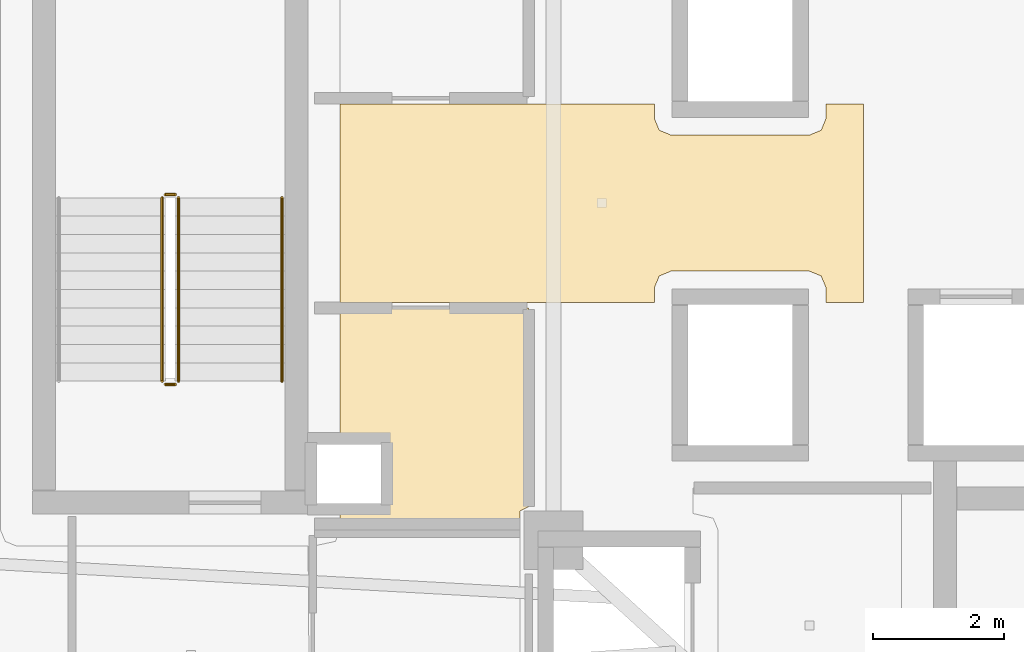
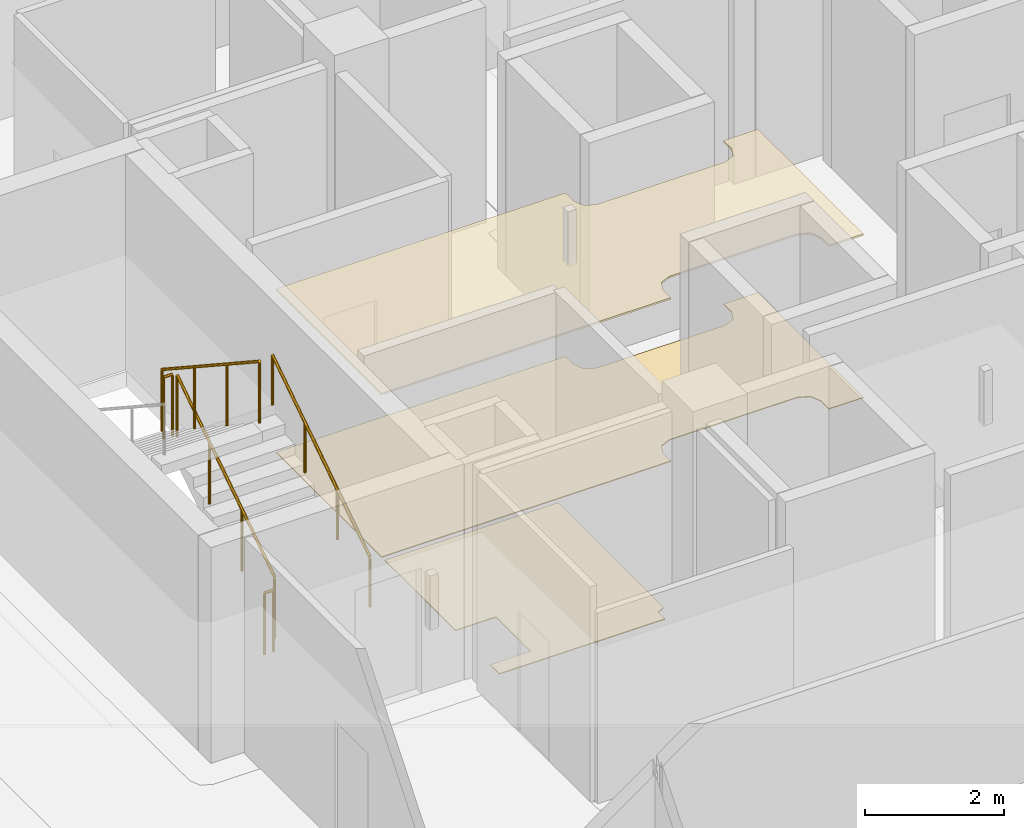
# One storey, part 31 of 36: 5 railings, 3 coverings.
"""IFC4 building model written with IfcOpenShell, lengths in metres."""

from ifc_helpers import new_model, si_unit, direction, frame, origin, origin_2d, place, context, subcontext, project, spatial, polyline, circle, outline, extrude, material, layer, layer_set, type_object, element, save


model = new_model("IFC4")

# Units and contexts
model_context = context("Model", 3, precision=1e-05, world=origin(), true_north=direction((0.0, 1.0)))
body_context = subcontext(model_context, "Body", "Model", "MODEL_VIEW")
ifc_project = project(units=[si_unit("LENGTHUNIT", "METRE"), si_unit("AREAUNIT", "SQUARE_METRE"), si_unit("VOLUMEUNIT", "CUBIC_METRE"), si_unit("PLANEANGLEUNIT", "RADIAN"), si_unit("MASSUNIT", "GRAM", prefix="KILO")], contexts=[model_context])

# Site, building, storey
site_placement = place(None, origin())
site = spatial("IfcSite", under=ifc_project, at=site_placement, CompositionType="ELEMENT")
building_placement = place(site_placement, origin())
building = spatial("IfcBuilding", under=site, at=building_placement, Name="Qorvath Tower", CompositionType="ELEMENT")
storey_placement = place(building_placement, frame((0.0, 0.0, 192.89990234375)))
storey = spatial("IfcBuildingStorey", under=building, at=storey_placement, Name="L44", CompositionType="ELEMENT", Elevation=192.89990234375)

# Coverings
ifc_material_1 = material(Name="Acoustic mineral fibre ceiling tile", Category="gypsum")
ifc_layer_1 = layer(ifc_material_1, 0.030029296875)
ifc_layer_set_1 = layer_set([ifc_layer_1], Name="COV-CEIL")
covering_type_1 = type_object("IfcCoveringType", Name="COV-CEIL", PredefinedType="CEILING", material=ifc_layer_set_1)
covering_1_placement = place(storey_placement, frame((0.0, 0.0, 2.85009765625)))
element("IfcCovering", 1, at=covering_1_placement, inside=storey, type_object=covering_type_1, Name="L44 Suspended Acoustic Ceiling 011", PredefinedType="CEILING", context=body_context, shape_type="SweptSolid", body=[
    extrude(outline(polyline([(-25.76806640625, -1.514892578125), (-25.76806640625, 1.514892578125), (-26.340087890625, 1.514892578125), (-26.340087890625, 1.2900390625), (-26.413330078125, 1.11328125), (-26.590087890625, 1.0400390625), (-28.7099609375, 1.0400390625), (-28.88671875, 1.11328125), (-28.9599609375, 1.2900390625), (-28.9599609375, 1.514892578125), (-33.760009765625, 1.514892578125), (-33.760009765625, -1.514892578125), (-28.9599609375, -1.514892578125), (-28.9599609375, -1.2900390625), (-28.88671875, -1.11328125), (-28.7099609375, -1.0400390625), (-26.590087890625, -1.0400390625), (-26.413330078125, -1.11328125), (-26.340087890625, -1.2900390625), (-26.340087890625, -1.514892578125), (-25.76806640625, -1.514892578125)])), origin(), (0.0, 0.0, 1.0), 0.030029296875),
])
ifc_material_2 = material(Name="Low-VOC modular carpet tile", Category="textile")
ifc_layer_2 = layer(ifc_material_2, 0.014892578125)
ifc_layer_set_2 = layer_set([ifc_layer_2], Name="COV-FLOOR-CPT")
covering_type_2 = type_object("IfcCoveringType", Name="COV-FLOOR-CPT", PredefinedType="FLOORING", material=ifc_layer_set_2)
covering_2_placement = place(storey_placement, origin())
element("IfcCovering", 2, at=covering_2_placement, inside=storey, type_object=covering_type_2, Name="L44 Floor Finish 008", PredefinedType="FLOORING", context=body_context, shape_type="SweptSolid", body=[
    extrude(outline(polyline([(-30.885009765625, -1.60498046875), (-33.760009765625, -1.60498046875), (-33.760009765625, -3.636962890625), (-33.08837890625, -3.638427734375), (-33.0869140625, -4.6279296875), (-33.760009765625, -4.633056640625), (-33.760009765625, -4.89501953125), (-31.010009765625, -4.89501953125), (-31.010009765625, -4.699951171875), (-30.885009765625, -4.639892578125), (-30.885009765625, -1.60498046875)])), origin(), (0.0, 0.0, 1.0), 0.01513671875),
])
ifc_material_3 = material(Name="Polished epoxy terrazzo flooring", Category="concrete")
ifc_layer_3 = layer(ifc_material_3, 0.02001953125)
ifc_layer_set_3 = layer_set([ifc_layer_3], Name="COV-FLOOR-TRZ")
covering_type_3 = type_object("IfcCoveringType", Name="COV-FLOOR-TRZ", PredefinedType="FLOORING", material=ifc_layer_set_3)
covering_3_placement = place(storey_placement, origin())
element("IfcCovering", 3, at=covering_3_placement, inside=storey, type_object=covering_type_3, Name="L44 Floor Finish 011", PredefinedType="FLOORING", context=body_context, shape_type="SweptSolid", body=[
    extrude(outline(polyline([(-25.76806640625, -1.514892578125), (-25.76806640625, 1.514892578125), (-26.340087890625, 1.514892578125), (-26.340087890625, 1.2900390625), (-26.413330078125, 1.11328125), (-26.590087890625, 1.0400390625), (-28.7099609375, 1.0400390625), (-28.88671875, 1.11328125), (-28.9599609375, 1.2900390625), (-28.9599609375, 1.514892578125), (-33.760009765625, 1.514892578125), (-33.760009765625, -1.514892578125), (-28.9599609375, -1.514892578125), (-28.9599609375, -1.2900390625), (-28.88671875, -1.11328125), (-28.7099609375, -1.0400390625), (-26.590087890625, -1.0400390625), (-26.413330078125, -1.11328125), (-26.340087890625, -1.2900390625), (-26.340087890625, -1.514892578125), (-25.76806640625, -1.514892578125)])), origin(), (0.0, 0.0, 1.0), 0.01513671875),
])

# Railings
ifc_material_4 = material(Name="Painted galvanised steel", Category="steel")
railing_type_1 = type_object("IfcRailingType", Name="RL-STR-GRD", PredefinedType="GUARDRAIL", material=ifc_material_4)
railing_1_placement = place(storey_placement, frame((-36.22998046875, -2.719970703125, 0.18408203125)))
element("IfcRailing", 4, at=railing_1_placement, inside=storey, type_object=railing_type_1, Name="L44 TS3 stair guard 1", PredefinedType="GUARDRAIL", context=body_context, shape_type="SweptSolid", body=[
    extrude(circle(Radius=0.02392578125, at=origin_2d()), frame((0.0, 0.0, 1.076171875), z_axis=(0.0, 0.83556406348, 0.549393024911), x_axis=(-1.0, 0.0, 0.0)), (0.0, 0.0, 1.0), 3.35107421875),
    extrude(circle(Radius=0.02099609375, at=origin_2d()), origin(), (0.0, 0.0, 1.0), 1.052001953125),
    extrude(circle(Radius=0.02099609375, at=origin_2d()), frame((0.0, 0.933349609375, 0.61376953125)), (0.0, 0.0, 1.0), 1.052001953125),
    extrude(circle(Radius=0.02099609375, at=origin_2d()), frame((0.0, 1.86669921875, 1.227294921875)), (0.0, 0.0, 1.0), 1.052001953125),
    extrude(circle(Radius=0.02099609375, at=origin_2d()), frame((0.0, 2.800048828125, 1.841064453125)), (0.0, 0.0, 1.0), 1.052001953125),
])
railing_2_placement = place(storey_placement, frame((-36.280029296875, 0.1298828125, 2.025146484375)))
element("IfcRailing", 5, at=railing_2_placement, inside=storey, type_object=railing_type_1, Name="L44 TS3 stair guard 2", PredefinedType="GUARDRAIL", context=body_context, shape_type="SweptSolid", body=[
    extrude(circle(Radius=0.02392578125, at=origin_2d()), frame((0.0, 0.0, 1.076171875), z_axis=(-1.0, 0.0, 0.0), x_axis=(0.0, -1.0, 0.0)), (0.0, 0.0, 1.0), 0.14990234375),
    extrude(circle(Radius=0.02099609375, at=origin_2d()), origin(), (0.0, 0.0, 1.0), 1.052001953125),
    extrude(circle(Radius=0.02099609375, at=origin_2d()), frame((-0.14990234375, 0.0, 0.0)), (0.0, 0.0, 1.0), 1.052001953125),
])
railing_3_placement = place(storey_placement, frame((-36.47998046875, 0.080078125, 2.209228515625)))
element("IfcRailing", 6, at=railing_3_placement, inside=storey, type_object=railing_type_1, Name="L44 TS3 stair guard 3", PredefinedType="GUARDRAIL", context=body_context, shape_type="SweptSolid", body=[
    extrude(circle(Radius=0.02392578125, at=origin_2d()), frame((0.0, 0.0, 1.076171875), z_axis=(0.0, -0.835597507184, 0.549342157483), x_axis=(1.0, 0.0, 0.0)), (0.0, 0.0, 1.0), 3.35107421875),
    extrude(circle(Radius=0.02099609375, at=origin_2d()), origin(), (0.0, 0.0, 1.0), 1.052001953125),
    extrude(circle(Radius=0.02099609375, at=origin_2d()), frame((0.0, -0.933349609375, 0.613525390625)), (0.0, 0.0, 1.0), 1.052001953125),
    extrude(circle(Radius=0.02099609375, at=origin_2d()), frame((0.0, -1.86669921875, 1.227294921875)), (0.0, 0.0, 1.0), 1.052001953125),
    extrude(circle(Radius=0.02099609375, at=origin_2d()), frame((0.0, -2.800048828125, 1.8408203125)), (0.0, 0.0, 1.0), 1.052001953125),
])
railing_4_placement = place(storey_placement, frame((-36.280029296875, -2.77001953125, 0.0)))
element("IfcRailing", 7, at=railing_4_placement, inside=storey, type_object=railing_type_1, Name="L44 TS3 stair guard 4", PredefinedType="GUARDRAIL", context=body_context, shape_type="SweptSolid", body=[
    extrude(circle(Radius=0.02392578125, at=origin_2d()), frame((0.0, 0.0, 1.076171875), z_axis=(-1.0, 0.0, 0.0), x_axis=(0.0, -1.0, 0.0)), (0.0, 0.0, 1.0), 0.14990234375),
    extrude(circle(Radius=0.02099609375, at=origin_2d()), origin(), (0.0, 0.0, 1.0), 1.052001953125),
    extrude(circle(Radius=0.02099609375, at=origin_2d()), frame((-0.14990234375, 0.0, 0.0)), (0.0, 0.0, 1.0), 1.052001953125),
])
ifc_material_5 = material(Name="Brushed stainless steel AISI 304", Category="steel")
railing_type_2 = type_object("IfcRailingType", Name="RL-STR-HND", PredefinedType="HANDRAIL", material=ifc_material_5)
railing_5_placement = place(storey_placement, frame((-34.64990234375, -2.719970703125, 0.18408203125)))
element("IfcRailing", 8, at=railing_5_placement, inside=storey, type_object=railing_type_2, Name="L44 TS3 stair handrail 1", PredefinedType="HANDRAIL", context=body_context, shape_type="SweptSolid", body=[
    extrude(circle(Radius=0.02392578125, at=origin_2d()), frame((0.0, 0.0, 0.8759765625), z_axis=(0.0, 0.83556406348, 0.549393024911), x_axis=(-1.0, 0.0, 0.0)), (0.0, 0.0, 1.0), 3.35107421875),
    extrude(circle(Radius=0.02099609375, at=origin_2d()), origin(), (0.0, 0.0, 1.0), 0.851806640625),
    extrude(circle(Radius=0.02099609375, at=origin_2d()), frame((0.0, 0.933349609375, 0.61376953125)), (0.0, 0.0, 1.0), 0.851806640625),
    extrude(circle(Radius=0.02099609375, at=origin_2d()), frame((0.0, 1.86669921875, 1.227294921875)), (0.0, 0.0, 1.0), 0.851806640625),
    extrude(circle(Radius=0.02099609375, at=origin_2d()), frame((0.0, 2.800048828125, 1.841064453125)), (0.0, 0.0, 1.0), 0.851806640625),
])

save(model, "model.ifc")
